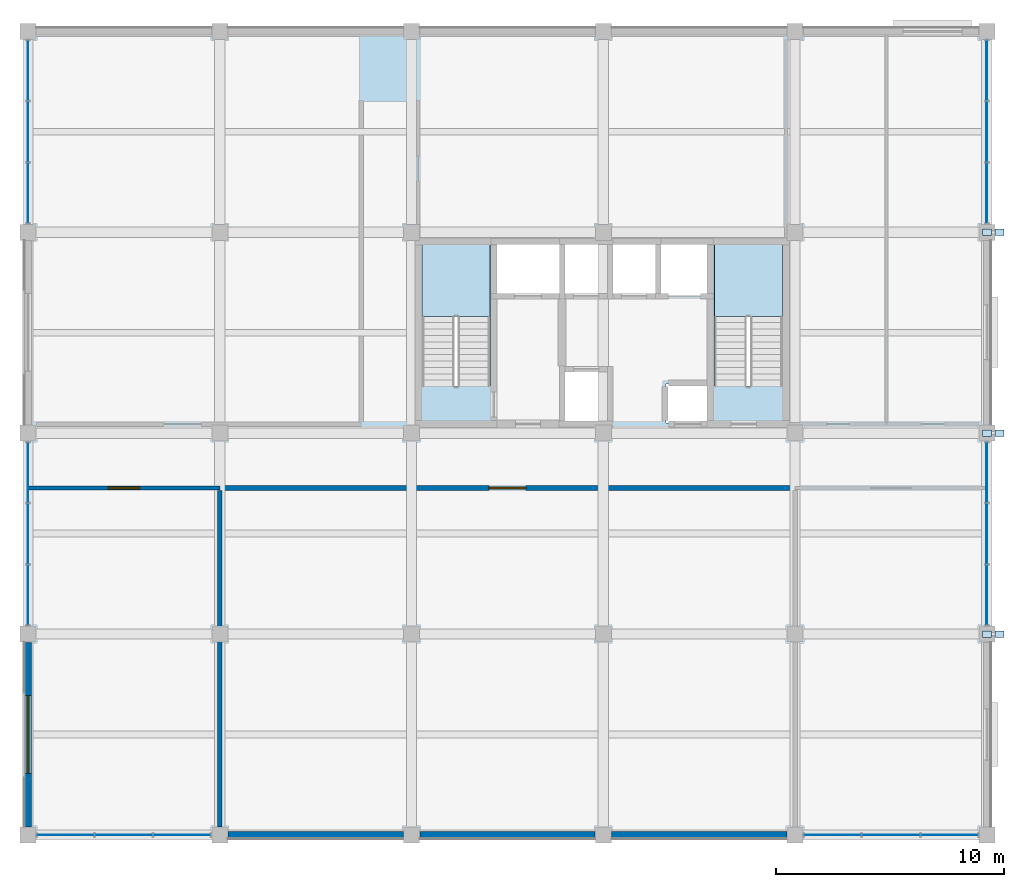
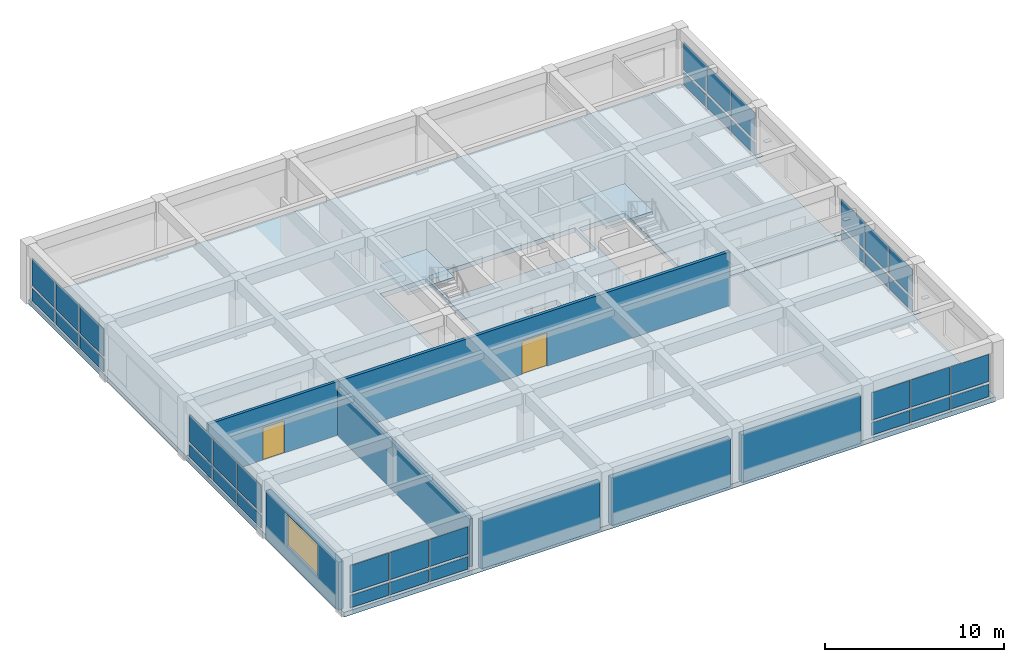
# One storey, part 7 of 14: 42 plates, 7 walls, 4 slabs, 2 doors, 1 window, 3 openings, 8 elements without a shape of their own.
"""IFC4 building model written with IfcOpenShell, lengths in metres."""

from ifc_helpers import new_model, si_unit, direction, frame, frame_2d, origin, origin_2d, place, context, subcontext, project, spatial, polyline, rectangle, outline, extrude, material, layer, layer_set, type_object, element, fill, aggregate, save


model = new_model("IFC4")

# Units and contexts
model_context = context("Model", 3, precision=1e-05, world=origin(), true_north=direction((0.0, 1.0)))
body_context = subcontext(model_context, "Body", "Model", "MODEL_VIEW")
ifc_project = project(units=[si_unit("LENGTHUNIT", "METRE"), si_unit("AREAUNIT", "SQUARE_METRE"), si_unit("VOLUMEUNIT", "CUBIC_METRE"), si_unit("PLANEANGLEUNIT", "RADIAN"), si_unit("MASSUNIT", "GRAM", prefix="KILO")], contexts=[model_context])

# Site, building, storey
site_placement = place(None, origin())
site = spatial("IfcSite", under=ifc_project, at=site_placement, CompositionType="ELEMENT")
building_placement = place(site_placement, origin())
building = spatial("IfcBuilding", under=site, at=building_placement, Name="Kemercrest Conservatory and Botanical Centre", CompositionType="ELEMENT")
storey_placement = place(building_placement, frame((0.0, 0.0, 32.800048828125)))
storey = spatial("IfcBuildingStorey", under=building, at=storey_placement, Name="L08", CompositionType="ELEMENT", Elevation=32.800048828125)

# Curtain wall, plates
ifc_material_1 = material(Name="Thermally broken aluminium and triple low-e glazing", Category="aluminium")
curtain_wall_type_1 = type_object("IfcCurtainWallType", Name="CW-05", PredefinedType="USERDEFINED", material=ifc_material_1)
curtain_wall_1_placement = place(storey_placement, origin())
curtain_wall_1 = element("IfcCurtainWall", 1, at=curtain_wall_1_placement, inside=storey, type_object=curtain_wall_type_1, Name="Unitised curtain wall CW-05 (CW:L08:V4-094)", ObjectType="UNITISED CURTAIN WALL", PredefinedType="USERDEFINED")
ifc_material_2 = material(Name="Triple low-e argon insulated glazing unit", Category="glass")
ifc_layer_1 = layer(ifc_material_2, 0.035888671875)
ifc_layer_set_1 = layer_set([ifc_layer_1], Name="Triple low-e argon insulated glazing unit")
plate_type_1 = type_object("IfcPlateType", Name="CW-PNL036", PredefinedType="CURTAIN_PANEL", material=ifc_layer_set_1)
plate_1_placement = place(storey_placement, frame((135.646240234375, 87.199951171875, 0.179931640625), z_axis=(0.0, 0.0, 1.0), x_axis=(1.0, 0.0, 0.0)))
plate_1 = element("IfcPlate", 2, at=plate_1_placement, type_object=plate_type_1, Name="CW-05 panel 1.1", PredefinedType="CURTAIN_PANEL", context=body_context, shape_type="SweptSolid", body=[
    extrude(rectangle(XDim=2.472412109375, YDim=0.035888671875, at=origin_2d()), origin(), (0.0, 0.0, 1.0), 0.85009765625),
])
plate_2_placement = place(storey_placement, frame((135.646240234375, 87.199951171875, 1.2099609375), z_axis=(0.0, 0.0, 1.0), x_axis=(1.0, 0.0, 0.0)))
plate_2 = element("IfcPlate", 3, at=plate_2_placement, type_object=plate_type_1, Name="CW-05 panel 1.2", PredefinedType="CURTAIN_PANEL", context=body_context, shape_type="SweptSolid", body=[
    extrude(rectangle(XDim=2.472412109375, YDim=0.035888671875, at=origin_2d()), origin(), (0.0, 0.0, 1.0), 1.864990234375),
])
plate_3_placement = place(storey_placement, frame((138.199951171875, 87.199951171875, 0.179931640625), z_axis=(0.0, 0.0, 1.0), x_axis=(1.0, 0.0, 0.0)))
plate_3 = element("IfcPlate", 4, at=plate_3_placement, type_object=plate_type_1, Name="CW-05 panel 2.1", PredefinedType="CURTAIN_PANEL", context=body_context, shape_type="SweptSolid", body=[
    extrude(rectangle(XDim=2.5048828125, YDim=0.035888671875, at=origin_2d()), origin(), (0.0, 0.0, 1.0), 0.85009765625),
])
plate_4_placement = place(storey_placement, frame((138.199951171875, 87.199951171875, 1.2099609375), z_axis=(0.0, 0.0, 1.0), x_axis=(1.0, 0.0, 0.0)))
plate_4 = element("IfcPlate", 5, at=plate_4_placement, type_object=plate_type_1, Name="CW-05 panel 2.2", PredefinedType="CURTAIN_PANEL", context=body_context, shape_type="SweptSolid", body=[
    extrude(rectangle(XDim=2.5048828125, YDim=0.035888671875, at=origin_2d()), origin(), (0.0, 0.0, 1.0), 1.864990234375),
])
plate_5_placement = place(storey_placement, frame((140.753662109375, 87.199951171875, 0.179931640625), z_axis=(0.0, 0.0, 1.0), x_axis=(1.0, 0.0, 0.0)))
plate_5 = element("IfcPlate", 6, at=plate_5_placement, type_object=plate_type_1, Name="CW-05 panel 3.1", PredefinedType="CURTAIN_PANEL", context=body_context, shape_type="SweptSolid", body=[
    extrude(rectangle(XDim=2.472412109375, YDim=0.035888671875, at=origin_2d()), origin(), (0.0, 0.0, 1.0), 0.85009765625),
])
plate_6_placement = place(storey_placement, frame((140.753662109375, 87.199951171875, 1.2099609375), z_axis=(0.0, 0.0, 1.0), x_axis=(1.0, 0.0, 0.0)))
plate_6 = element("IfcPlate", 7, at=plate_6_placement, type_object=plate_type_1, Name="CW-05 panel 3.2", PredefinedType="CURTAIN_PANEL", context=body_context, shape_type="SweptSolid", body=[
    extrude(rectangle(XDim=2.472412109375, YDim=0.035888671875, at=origin_2d()), origin(), (0.0, 0.0, 1.0), 1.864990234375),
])
aggregate(curtain_wall_1, [plate_1, plate_2, plate_3, plate_4, plate_5, plate_6])

curtain_wall_type_2 = type_object("IfcCurtainWallType", Name="CW-06", PredefinedType="USERDEFINED", material=ifc_material_1)
curtain_wall_2_placement = place(storey_placement, origin())
curtain_wall_2 = element("IfcCurtainWall", 8, at=curtain_wall_2_placement, inside=storey, type_object=curtain_wall_type_2, Name="Unitised curtain wall CW-06 (CW:L08:V4-095)", ObjectType="UNITISED CURTAIN WALL", PredefinedType="USERDEFINED")
plate_7_placement = place(storey_placement, frame((169.246337890625, 87.199951171875, 0.179931640625), z_axis=(0.0, 0.0, 1.0), x_axis=(1.0, 0.0, 0.0)))
plate_7 = element("IfcPlate", 9, at=plate_7_placement, type_object=plate_type_1, Name="CW-06 panel 1.1", PredefinedType="CURTAIN_PANEL", context=body_context, shape_type="SweptSolid", body=[
    extrude(rectangle(XDim=2.472412109375, YDim=0.035888671875, at=origin_2d()), origin(), (0.0, 0.0, 1.0), 0.85009765625),
])
plate_8_placement = place(storey_placement, frame((169.246337890625, 87.199951171875, 1.2099609375), z_axis=(0.0, 0.0, 1.0), x_axis=(1.0, 0.0, 0.0)))
plate_8 = element("IfcPlate", 10, at=plate_8_placement, type_object=plate_type_1, Name="CW-06 panel 1.2", PredefinedType="CURTAIN_PANEL", context=body_context, shape_type="SweptSolid", body=[
    extrude(rectangle(XDim=2.472412109375, YDim=0.035888671875, at=origin_2d()), origin(), (0.0, 0.0, 1.0), 1.864990234375),
])
plate_9_placement = place(storey_placement, frame((171.800048828125, 87.199951171875, 0.179931640625), z_axis=(0.0, 0.0, 1.0), x_axis=(1.0, 0.0, 0.0)))
plate_9 = element("IfcPlate", 11, at=plate_9_placement, type_object=plate_type_1, Name="CW-06 panel 2.1", PredefinedType="CURTAIN_PANEL", context=body_context, shape_type="SweptSolid", body=[
    extrude(rectangle(XDim=2.5048828125, YDim=0.035888671875, at=origin_2d()), origin(), (0.0, 0.0, 1.0), 0.85009765625),
])
plate_10_placement = place(storey_placement, frame((171.800048828125, 87.199951171875, 1.2099609375), z_axis=(0.0, 0.0, 1.0), x_axis=(1.0, 0.0, 0.0)))
plate_10 = element("IfcPlate", 12, at=plate_10_placement, type_object=plate_type_1, Name="CW-06 panel 2.2", PredefinedType="CURTAIN_PANEL", context=body_context, shape_type="SweptSolid", body=[
    extrude(rectangle(XDim=2.5048828125, YDim=0.035888671875, at=origin_2d()), origin(), (0.0, 0.0, 1.0), 1.864990234375),
])
plate_11_placement = place(storey_placement, frame((174.353759765625, 87.199951171875, 0.179931640625), z_axis=(0.0, 0.0, 1.0), x_axis=(1.0, 0.0, 0.0)))
plate_11 = element("IfcPlate", 13, at=plate_11_placement, type_object=plate_type_1, Name="CW-06 panel 3.1", PredefinedType="CURTAIN_PANEL", context=body_context, shape_type="SweptSolid", body=[
    extrude(rectangle(XDim=2.472412109375, YDim=0.035888671875, at=origin_2d()), origin(), (0.0, 0.0, 1.0), 0.85009765625),
])
plate_12_placement = place(storey_placement, frame((174.353759765625, 87.199951171875, 1.2099609375), z_axis=(0.0, 0.0, 1.0), x_axis=(1.0, 0.0, 0.0)))
plate_12 = element("IfcPlate", 14, at=plate_12_placement, type_object=plate_type_1, Name="CW-06 panel 3.2", PredefinedType="CURTAIN_PANEL", context=body_context, shape_type="SweptSolid", body=[
    extrude(rectangle(XDim=2.472412109375, YDim=0.035888671875, at=origin_2d()), origin(), (0.0, 0.0, 1.0), 1.864990234375),
])
aggregate(curtain_wall_2, [plate_7, plate_8, plate_9, plate_10, plate_11, plate_12])

curtain_wall_type_3 = type_object("IfcCurtainWallType", Name="CW-07", PredefinedType="USERDEFINED", material=ifc_material_1)
curtain_wall_3_placement = place(storey_placement, origin())
curtain_wall_3 = element("IfcCurtainWall", 15, at=curtain_wall_3_placement, inside=storey, type_object=curtain_wall_type_3, Name="Unitised curtain wall CW-07 (CW:L08:V4-096)", ObjectType="UNITISED CURTAIN WALL", PredefinedType="USERDEFINED")
plate_13_placement = place(storey_placement, frame((176.0, 97.712890625, 0.179931640625), z_axis=(0.0, 0.0, 1.0), x_axis=(0.0, 1.0, 0.0)))
plate_13 = element("IfcPlate", 16, at=plate_13_placement, type_object=plate_type_1, Name="CW-07 panel 1.1", PredefinedType="CURTAIN_PANEL", context=body_context, shape_type="SweptSolid", body=[
    extrude(rectangle(XDim=2.605712890625, YDim=0.035888671875, at=origin_2d()), origin(), (0.0, 0.0, 1.0), 0.85009765625),
])
plate_14_placement = place(storey_placement, frame((176.0, 97.712890625, 1.2099609375), z_axis=(0.0, 0.0, 1.0), x_axis=(0.0, 1.0, 0.0)))
plate_14 = element("IfcPlate", 17, at=plate_14_placement, type_object=plate_type_1, Name="CW-07 panel 1.2", PredefinedType="CURTAIN_PANEL", context=body_context, shape_type="SweptSolid", body=[
    extrude(rectangle(XDim=2.605712890625, YDim=0.035888671875, at=origin_2d()), origin(), (0.0, 0.0, 1.0), 1.864990234375),
])
plate_15_placement = place(storey_placement, frame((176.0, 100.39990234375, 0.179931640625), z_axis=(0.0, 0.0, 1.0), x_axis=(0.0, 1.0, 0.0)))
plate_15 = element("IfcPlate", 18, at=plate_15_placement, type_object=plate_type_1, Name="CW-07 panel 2.1", PredefinedType="CURTAIN_PANEL", context=body_context, shape_type="SweptSolid", body=[
    extrude(rectangle(XDim=2.638427734375, YDim=0.035888671875, at=origin_2d()), origin(), (0.0, 0.0, 1.0), 0.85009765625),
])
plate_16_placement = place(storey_placement, frame((176.0, 100.39990234375, 1.2099609375), z_axis=(0.0, 0.0, 1.0), x_axis=(0.0, 1.0, 0.0)))
plate_16 = element("IfcPlate", 19, at=plate_16_placement, type_object=plate_type_1, Name="CW-07 panel 2.2", PredefinedType="CURTAIN_PANEL", context=body_context, shape_type="SweptSolid", body=[
    extrude(rectangle(XDim=2.638427734375, YDim=0.035888671875, at=origin_2d()), origin(), (0.0, 0.0, 1.0), 1.864990234375),
])
plate_17_placement = place(storey_placement, frame((176.0, 103.087158203125, 0.179931640625), z_axis=(0.0, 0.0, 1.0), x_axis=(0.0, 1.0, 0.0)))
plate_17 = element("IfcPlate", 20, at=plate_17_placement, type_object=plate_type_1, Name="CW-07 panel 3.1", PredefinedType="CURTAIN_PANEL", context=body_context, shape_type="SweptSolid", body=[
    extrude(rectangle(XDim=2.605712890625, YDim=0.035888671875, at=origin_2d()), origin(), (0.0, 0.0, 1.0), 0.85009765625),
])
plate_18_placement = place(storey_placement, frame((176.0, 103.087158203125, 1.2099609375), z_axis=(0.0, 0.0, 1.0), x_axis=(0.0, 1.0, 0.0)))
plate_18 = element("IfcPlate", 21, at=plate_18_placement, type_object=plate_type_1, Name="CW-07 panel 3.2", PredefinedType="CURTAIN_PANEL", context=body_context, shape_type="SweptSolid", body=[
    extrude(rectangle(XDim=2.605712890625, YDim=0.035888671875, at=origin_2d()), origin(), (0.0, 0.0, 1.0), 1.864990234375),
])
aggregate(curtain_wall_3, [plate_13, plate_14, plate_15, plate_16, plate_17, plate_18])

curtain_wall_type_4 = type_object("IfcCurtainWallType", Name="CW-08", PredefinedType="USERDEFINED", material=ifc_material_1)
curtain_wall_4_placement = place(storey_placement, origin())
curtain_wall_4 = element("IfcCurtainWall", 22, at=curtain_wall_4_placement, inside=storey, type_object=curtain_wall_type_4, Name="Unitised curtain wall CW-08 (CW:L08:V4-097)", ObjectType="UNITISED CURTAIN WALL", PredefinedType="USERDEFINED")
plate_19_placement = place(storey_placement, frame((176.0, 115.31298828125, 0.179931640625), z_axis=(0.0, 0.0, 1.0), x_axis=(0.0, 1.0, 0.0)))
plate_19 = element("IfcPlate", 23, at=plate_19_placement, type_object=plate_type_1, Name="CW-08 panel 1.1", PredefinedType="CURTAIN_PANEL", context=body_context, shape_type="SweptSolid", body=[
    extrude(rectangle(XDim=2.605712890625, YDim=0.035888671875, at=origin_2d()), origin(), (0.0, 0.0, 1.0), 0.85009765625),
])
plate_20_placement = place(storey_placement, frame((176.0, 115.31298828125, 1.2099609375), z_axis=(0.0, 0.0, 1.0), x_axis=(0.0, 1.0, 0.0)))
plate_20 = element("IfcPlate", 24, at=plate_20_placement, type_object=plate_type_1, Name="CW-08 panel 1.2", PredefinedType="CURTAIN_PANEL", context=body_context, shape_type="SweptSolid", body=[
    extrude(rectangle(XDim=2.605712890625, YDim=0.035888671875, at=origin_2d()), origin(), (0.0, 0.0, 1.0), 1.864990234375),
])
plate_21_placement = place(storey_placement, frame((176.0, 118.0, 0.179931640625), z_axis=(0.0, 0.0, 1.0), x_axis=(0.0, 1.0, 0.0)))
plate_21 = element("IfcPlate", 25, at=plate_21_placement, type_object=plate_type_1, Name="CW-08 panel 2.1", PredefinedType="CURTAIN_PANEL", context=body_context, shape_type="SweptSolid", body=[
    extrude(rectangle(XDim=2.638427734375, YDim=0.035888671875, at=origin_2d()), origin(), (0.0, 0.0, 1.0), 0.85009765625),
])
plate_22_placement = place(storey_placement, frame((176.0, 118.0, 1.2099609375), z_axis=(0.0, 0.0, 1.0), x_axis=(0.0, 1.0, 0.0)))
plate_22 = element("IfcPlate", 26, at=plate_22_placement, type_object=plate_type_1, Name="CW-08 panel 2.2", PredefinedType="CURTAIN_PANEL", context=body_context, shape_type="SweptSolid", body=[
    extrude(rectangle(XDim=2.638427734375, YDim=0.035888671875, at=origin_2d()), origin(), (0.0, 0.0, 1.0), 1.864990234375),
])
plate_23_placement = place(storey_placement, frame((176.0, 120.68701171875, 0.179931640625), z_axis=(0.0, 0.0, 1.0), x_axis=(0.0, 1.0, 0.0)))
plate_23 = element("IfcPlate", 27, at=plate_23_placement, type_object=plate_type_1, Name="CW-08 panel 3.1", PredefinedType="CURTAIN_PANEL", context=body_context, shape_type="SweptSolid", body=[
    extrude(rectangle(XDim=2.605712890625, YDim=0.035888671875, at=origin_2d()), origin(), (0.0, 0.0, 1.0), 0.85009765625),
])
plate_24_placement = place(storey_placement, frame((176.0, 120.68701171875, 1.2099609375), z_axis=(0.0, 0.0, 1.0), x_axis=(0.0, 1.0, 0.0)))
plate_24 = element("IfcPlate", 28, at=plate_24_placement, type_object=plate_type_1, Name="CW-08 panel 3.2", PredefinedType="CURTAIN_PANEL", context=body_context, shape_type="SweptSolid", body=[
    extrude(rectangle(XDim=2.605712890625, YDim=0.035888671875, at=origin_2d()), origin(), (0.0, 0.0, 1.0), 1.864990234375),
])
aggregate(curtain_wall_4, [plate_19, plate_20, plate_21, plate_22, plate_23, plate_24])

curtain_wall_type_5 = type_object("IfcCurtainWallType", Name="CW-09", PredefinedType="USERDEFINED", material=ifc_material_1)
curtain_wall_5_placement = place(storey_placement, origin())
curtain_wall_5 = element("IfcCurtainWall", 29, at=curtain_wall_5_placement, inside=storey, type_object=curtain_wall_type_5, Name="Unitised curtain wall CW-09 (CW:L08:V4-098)", ObjectType="UNITISED CURTAIN WALL", PredefinedType="USERDEFINED")
plate_25_placement = place(storey_placement, frame((134.0, 120.68701171875, 0.179931640625), z_axis=(0.0, 0.0, 1.0), x_axis=(0.0, -1.0, 0.0)))
plate_25 = element("IfcPlate", 30, at=plate_25_placement, type_object=plate_type_1, Name="CW-09 panel 1.1", PredefinedType="CURTAIN_PANEL", context=body_context, shape_type="SweptSolid", body=[
    extrude(rectangle(XDim=2.605712890625, YDim=0.035888671875, at=origin_2d()), origin(), (0.0, 0.0, 1.0), 0.85009765625),
])
plate_26_placement = place(storey_placement, frame((134.0, 120.68701171875, 1.2099609375), z_axis=(0.0, 0.0, 1.0), x_axis=(0.0, -1.0, 0.0)))
plate_26 = element("IfcPlate", 31, at=plate_26_placement, type_object=plate_type_1, Name="CW-09 panel 1.2", PredefinedType="CURTAIN_PANEL", context=body_context, shape_type="SweptSolid", body=[
    extrude(rectangle(XDim=2.605712890625, YDim=0.035888671875, at=origin_2d()), origin(), (0.0, 0.0, 1.0), 1.864990234375),
])
plate_27_placement = place(storey_placement, frame((134.0, 118.0, 0.179931640625), z_axis=(0.0, 0.0, 1.0), x_axis=(0.0, -1.0, 0.0)))
plate_27 = element("IfcPlate", 32, at=plate_27_placement, type_object=plate_type_1, Name="CW-09 panel 2.1", PredefinedType="CURTAIN_PANEL", context=body_context, shape_type="SweptSolid", body=[
    extrude(rectangle(XDim=2.638427734375, YDim=0.035888671875, at=origin_2d()), origin(), (0.0, 0.0, 1.0), 0.85009765625),
])
plate_28_placement = place(storey_placement, frame((134.0, 118.0, 1.2099609375), z_axis=(0.0, 0.0, 1.0), x_axis=(0.0, -1.0, 0.0)))
plate_28 = element("IfcPlate", 33, at=plate_28_placement, type_object=plate_type_1, Name="CW-09 panel 2.2", PredefinedType="CURTAIN_PANEL", context=body_context, shape_type="SweptSolid", body=[
    extrude(rectangle(XDim=2.638427734375, YDim=0.035888671875, at=origin_2d()), origin(), (0.0, 0.0, 1.0), 1.864990234375),
])
plate_29_placement = place(storey_placement, frame((134.0, 115.31298828125, 0.179931640625), z_axis=(0.0, 0.0, 1.0), x_axis=(0.0, -1.0, 0.0)))
plate_29 = element("IfcPlate", 34, at=plate_29_placement, type_object=plate_type_1, Name="CW-09 panel 3.1", PredefinedType="CURTAIN_PANEL", context=body_context, shape_type="SweptSolid", body=[
    extrude(rectangle(XDim=2.605712890625, YDim=0.035888671875, at=origin_2d()), origin(), (0.0, 0.0, 1.0), 0.85009765625),
])
plate_30_placement = place(storey_placement, frame((134.0, 115.31298828125, 1.2099609375), z_axis=(0.0, 0.0, 1.0), x_axis=(0.0, -1.0, 0.0)))
plate_30 = element("IfcPlate", 35, at=plate_30_placement, type_object=plate_type_1, Name="CW-09 panel 3.2", PredefinedType="CURTAIN_PANEL", context=body_context, shape_type="SweptSolid", body=[
    extrude(rectangle(XDim=2.605712890625, YDim=0.035888671875, at=origin_2d()), origin(), (0.0, 0.0, 1.0), 1.864990234375),
])
aggregate(curtain_wall_5, [plate_25, plate_26, plate_27, plate_28, plate_29, plate_30])

curtain_wall_type_6 = type_object("IfcCurtainWallType", Name="CW-10", PredefinedType="USERDEFINED", material=ifc_material_1)
curtain_wall_6_placement = place(storey_placement, origin())
curtain_wall_6 = element("IfcCurtainWall", 36, at=curtain_wall_6_placement, inside=storey, type_object=curtain_wall_type_6, Name="Unitised curtain wall CW-10 (CW:L08:V4-099)", ObjectType="UNITISED CURTAIN WALL", PredefinedType="USERDEFINED")
plate_31_placement = place(storey_placement, frame((134.0, 103.087158203125, 0.179931640625), z_axis=(0.0, 0.0, 1.0), x_axis=(0.0, -1.0, 0.0)))
plate_31 = element("IfcPlate", 37, at=plate_31_placement, type_object=plate_type_1, Name="CW-10 panel 1.1", PredefinedType="CURTAIN_PANEL", context=body_context, shape_type="SweptSolid", body=[
    extrude(rectangle(XDim=2.605712890625, YDim=0.035888671875, at=origin_2d()), origin(), (0.0, 0.0, 1.0), 0.85009765625),
])
plate_32_placement = place(storey_placement, frame((134.0, 103.087158203125, 1.2099609375), z_axis=(0.0, 0.0, 1.0), x_axis=(0.0, -1.0, 0.0)))
plate_32 = element("IfcPlate", 38, at=plate_32_placement, type_object=plate_type_1, Name="CW-10 panel 1.2", PredefinedType="CURTAIN_PANEL", context=body_context, shape_type="SweptSolid", body=[
    extrude(rectangle(XDim=2.605712890625, YDim=0.035888671875, at=origin_2d()), origin(), (0.0, 0.0, 1.0), 1.864990234375),
])
plate_33_placement = place(storey_placement, frame((134.0, 100.39990234375, 0.179931640625), z_axis=(0.0, 0.0, 1.0), x_axis=(0.0, -1.0, 0.0)))
plate_33 = element("IfcPlate", 39, at=plate_33_placement, type_object=plate_type_1, Name="CW-10 panel 2.1", PredefinedType="CURTAIN_PANEL", context=body_context, shape_type="SweptSolid", body=[
    extrude(rectangle(XDim=2.638427734375, YDim=0.035888671875, at=origin_2d()), origin(), (0.0, 0.0, 1.0), 0.85009765625),
])
plate_34_placement = place(storey_placement, frame((134.0, 100.39990234375, 1.2099609375), z_axis=(0.0, 0.0, 1.0), x_axis=(0.0, -1.0, 0.0)))
plate_34 = element("IfcPlate", 40, at=plate_34_placement, type_object=plate_type_1, Name="CW-10 panel 2.2", PredefinedType="CURTAIN_PANEL", context=body_context, shape_type="SweptSolid", body=[
    extrude(rectangle(XDim=2.638427734375, YDim=0.035888671875, at=origin_2d()), origin(), (0.0, 0.0, 1.0), 1.864990234375),
])
plate_35_placement = place(storey_placement, frame((134.0, 97.712890625, 0.179931640625), z_axis=(0.0, 0.0, 1.0), x_axis=(0.0, -1.0, 0.0)))
plate_35 = element("IfcPlate", 41, at=plate_35_placement, type_object=plate_type_1, Name="CW-10 panel 3.1", PredefinedType="CURTAIN_PANEL", context=body_context, shape_type="SweptSolid", body=[
    extrude(rectangle(XDim=2.605712890625, YDim=0.035888671875, at=origin_2d()), origin(), (0.0, 0.0, 1.0), 0.85009765625),
])
plate_36_placement = place(storey_placement, frame((134.0, 97.712890625, 1.2099609375), z_axis=(0.0, 0.0, 1.0), x_axis=(0.0, -1.0, 0.0)))
plate_36 = element("IfcPlate", 42, at=plate_36_placement, type_object=plate_type_1, Name="CW-10 panel 3.2", PredefinedType="CURTAIN_PANEL", context=body_context, shape_type="SweptSolid", body=[
    extrude(rectangle(XDim=2.605712890625, YDim=0.035888671875, at=origin_2d()), origin(), (0.0, 0.0, 1.0), 1.864990234375),
])
aggregate(curtain_wall_6, [plate_31, plate_32, plate_33, plate_34, plate_35, plate_36])

# Plates
ifc_material_3 = material(Name="Steel CSA G40.21 350W", Category="steel")
ifc_layer_2 = layer(ifc_material_3, 0.030029296875)
ifc_layer_set_2 = layer_set([ifc_layer_2], Name="Steel CSA G40.21 350W")
plate_type_2 = type_object("IfcPlateType", Name="GN-05", PredefinedType="USERDEFINED", material=ifc_layer_set_2)
for number, where, z_axis, x_axis, name in (
    (43, (176.550048828125, 96.0, 1.23486328125), (0.0, 0.0, 1.0), (1.0, 0.0, 0.0), "Cumba knee bracket end cap plate GN-05 L08-1"),
    (44, (176.0, 96.0, 0.384765625), (0.0, 0.0, 1.0), (1.0, 0.0, 0.0), "Cumba knee bracket wall gusset plate GN-05 L08-1"),
    (45, (176.550048828125, 104.800048828125, 1.23486328125), (0.0, 0.0, 1.0), (1.0, 0.0, 0.0), "Cumba knee bracket end cap plate GN-05 L08-2"),
    (46, (176.0, 104.800048828125, 0.384765625), (0.0, 0.0, 1.0), (1.0, 0.0, 0.0), "Cumba knee bracket wall gusset plate GN-05 L08-2"),
    (47, (176.550048828125, 113.60009765625, 1.23486328125), (0.0, 0.0, 1.0), (1.0, 0.0, 0.0), "Cumba knee bracket end cap plate GN-05 L08-3"),
    (48, (176.0, 113.60009765625, 0.384765625), (0.0, 0.0, 1.0), (1.0, 0.0, 0.0), "Cumba knee bracket wall gusset plate GN-05 L08-3"),
):
    element("IfcPlate", number, at=place(storey_placement, frame(where, z_axis=z_axis, x_axis=x_axis)), inside=storey, type_object=plate_type_2, Name=name, ObjectType="GUSSET PLATE", PredefinedType="USERDEFINED", context=body_context, shape_type="SweptSolid", body=[
        extrude(rectangle(XDim=0.39990234375, YDim=0.280029296875, at=origin_2d()), origin(), (0.0, 0.0, 1.0), 0.030029296875),
    ])

# Slabs
ifc_material_4 = material(Name="Concrete C40/50", Category="concrete")
ifc_layer_3 = layer(ifc_material_4, 0.320068359375)
ifc_layer_set_3 = layer_set([ifc_layer_3], Name="Concrete C40/50")
slab_type_1 = type_object("IfcSlabType", Name="SL-FL320", PredefinedType="FLOOR", material=ifc_layer_set_3)
slab_1_placement = place(storey_placement, frame((0.0, 0.0, -0.320068359375)))
element("IfcSlab", 49, at=slab_1_placement, inside=storey, type_object=slab_type_1, Name="V4 Tower L08 North Core and Studio Slab", PredefinedType="FLOOR", context=body_context, shape_type="SweptSolid", body=[
    extrude(outline(polyline([(134.0, 122.39990234375), (134.0, 104.800048828125), (176.0, 104.800048828125), (176.0, 122.39990234375), (134.0, 122.39990234375)]), holes=[polyline([(164.06005859375, 106.864990234375), (164.06005859375, 113.06005859375), (167.0400390625, 113.06005859375), (167.0400390625, 106.864990234375), (164.06005859375, 106.864990234375)]), polyline([(154.39990234375, 110.800048828125), (154.39990234375, 113.199951171875), (163.89990234375, 113.199951171875), (163.89990234375, 110.800048828125), (154.39990234375, 110.800048828125)]), polyline([(161.949951171875, 105.25), (161.949951171875, 106.949951171875), (163.85009765625, 106.949951171875), (163.85009765625, 105.25), (161.949951171875, 105.25)]), polyline([(157.39990234375, 105.199951171875), (157.39990234375, 107.60009765625), (159.5, 107.60009765625), (159.5, 105.199951171875), (157.39990234375, 105.199951171875)]), polyline([(154.239990234375, 106.864990234375), (151.260009765625, 106.864990234375), (151.260009765625, 113.06005859375), (154.239990234375, 113.06005859375), (154.239990234375, 106.864990234375)])]), origin(), (0.0, 0.0, 1.0), 0.320068359375),
])
slab_2_placement = place(storey_placement, frame((0.0, 0.0, -0.320068359375)))
element("IfcSlab", 50, at=slab_2_placement, inside=storey, type_object=slab_type_1, Name="V4 Tower L08 South Laboratory Slab", PredefinedType="FLOOR", context=body_context, shape_type="SweptSolid", body=[
    extrude(outline(polyline([(134.0, 104.800048828125), (134.0, 87.199951171875), (176.0, 87.199951171875), (176.0, 104.800048828125), (134.0, 104.800048828125)]), holes=[polyline([(175.39990234375, 94.800048828125), (174.199951171875, 94.800048828125), (174.199951171875, 95.800048828125), (175.39990234375, 95.800048828125), (175.39990234375, 94.800048828125)])]), origin(), (0.0, 0.0, 1.0), 0.320068359375),
])

# Stair, slab
stair_type = type_object("IfcStairType", Name="ST-142-40", PredefinedType="HALF_TURN_STAIR", material=ifc_material_4)
stair_1_placement = place(storey_placement, origin())
stair_1 = element("IfcStair", 51, at=stair_1_placement, inside=storey, type_object=stair_type, Name="L08 Exit stair ST-V4A", PredefinedType="HALF_TURN_STAIR")
ifc_layer_4 = layer(ifc_material_4, 0.199951171875)
ifc_layer_set_4 = layer_set([ifc_layer_4], Name="Concrete C40/50")
slab_type_2 = type_object("IfcSlabType", Name="SL-LND200", PredefinedType="LANDING", material=ifc_layer_set_4)
slab_3_placement = place(storey_placement, frame((0.0, 0.0, 1.800048828125)))
slab_3 = element("IfcSlab", 52, at=slab_3_placement, type_object=slab_type_2, Name="ST-V4A landing 1", PredefinedType="LANDING", context=body_context, shape_type="SweptSolid", body=[
    extrude(outline(polyline([(154.239990234375, 109.919921875), (154.239990234375, 113.06005859375), (151.260009765625, 113.06005859375), (151.260009765625, 109.919921875), (154.239990234375, 109.919921875)])), origin(), (0.0, 0.0, 1.0), 0.199951171875),
])
aggregate(stair_1, [slab_3])

stair_2_placement = place(storey_placement, origin())
stair_2 = element("IfcStair", 53, at=stair_2_placement, inside=storey, type_object=stair_type, Name="L08 Exit stair ST-V4B", PredefinedType="HALF_TURN_STAIR")
slab_4_placement = place(storey_placement, frame((0.0, 0.0, 1.800048828125)))
slab_4 = element("IfcSlab", 54, at=slab_4_placement, type_object=slab_type_2, Name="ST-V4B landing 1", PredefinedType="LANDING", context=body_context, shape_type="SweptSolid", body=[
    extrude(outline(polyline([(167.0400390625, 109.919921875), (167.0400390625, 113.06005859375), (164.06005859375, 113.06005859375), (164.06005859375, 109.919921875), (167.0400390625, 109.919921875)])), origin(), (0.0, 0.0, 1.0), 0.199951171875),
])
aggregate(stair_2, [slab_4])

# Walls
ifc_material_5 = material(Name="Precast concrete C40/50", Category="concrete")
ifc_layer_5 = layer(ifc_material_5, 0.300048828125)
ifc_layer_set_5 = layer_set([ifc_layer_5], Name="Precast concrete C40/50")
wall_type_1 = type_object("IfcWallType", Name="W-EXT300", PredefinedType="SOLIDWALL", material=ifc_layer_set_5)
wall_1_placement = place(storey_placement, frame((142.760009765625, 87.199951171875, 0.0), z_axis=(0.0, 0.0, 1.0), x_axis=(1.0, 0.0, 0.0)))
element("IfcWall", 55, at=wall_1_placement, inside=storey, type_object=wall_type_1, Name="Exterior almasik wall W-EXT300 (WAL:L08:EXT-274)", PredefinedType="SOLIDWALL", context=body_context, shape_type="SweptSolid", body=[
    extrude(rectangle(XDim=7.679931640625, YDim=0.300048828125, at=frame_2d((3.83984375, 0.0))), origin(), (0.0, 0.0, 1.0), 3.25),
])
wall_2_placement = place(storey_placement, frame((151.159912109375, 87.199951171875, 0.0), z_axis=(0.0, 0.0, 1.0), x_axis=(1.0, 0.0, 0.0)))
element("IfcWall", 56, at=wall_2_placement, inside=storey, type_object=wall_type_1, Name="Exterior almasik wall W-EXT300 (WAL:L08:EXT-275)", PredefinedType="SOLIDWALL", context=body_context, shape_type="SweptSolid", body=[
    extrude(rectangle(XDim=7.68017578125, YDim=0.300048828125, at=frame_2d((3.840087890625, 0.0))), origin(), (0.0, 0.0, 1.0), 3.25),
])
wall_3_placement = place(storey_placement, frame((159.56005859375, 87.199951171875, 0.0), z_axis=(0.0, 0.0, 1.0), x_axis=(1.0, 0.0, 0.0)))
element("IfcWall", 57, at=wall_3_placement, inside=storey, type_object=wall_type_1, Name="Exterior almasik wall W-EXT300 (WAL:L08:EXT-276)", PredefinedType="SOLIDWALL", context=body_context, shape_type="SweptSolid", body=[
    extrude(rectangle(XDim=7.679931640625, YDim=0.300048828125, at=frame_2d((3.83984375, 0.0))), origin(), (0.0, 0.0, 1.0), 3.25),
])

# Wall, opening, window
wall_4_placement = place(storey_placement, frame((134.0, 95.639892578125, 0.0), z_axis=(0.0, 0.0, 1.0), x_axis=(0.0, -1.0, 0.0)))
wall_4 = element("IfcWall", 58, at=wall_4_placement, inside=storey, type_object=wall_type_1, Name="Exterior almasik wall W-EXT300 (WAL:L08:EXT-285)", PredefinedType="SOLIDWALL", context=body_context, shape_type="SweptSolid", body=[
    extrude(rectangle(XDim=8.079833984375, YDim=0.300048828125, at=frame_2d((4.0400390625, 0.0))), origin(), (0.0, 0.0, 1.0), 3.25),
])
opening_1_placement = place(wall_4_placement, frame((2.340087890625, 0.0, 0.89990234375)))
opening_1 = element("IfcOpeningElement", 59, at=opening_1_placement, cuts=wall_4, Name="Opening WT-20", PredefinedType="OPENING", context=body_context, shape_type="SweptSolid", body=[
    extrude(rectangle(XDim=3.39990234375, YDim=2.14990234375, at=frame_2d((1.699951171875, 1.074951171875))), frame((0.0, 0.16015625, 0.0), z_axis=(0.0, -1.0, 0.0), x_axis=(1.0, 0.0, 0.0)), (0.0, 0.0, 1.0), 0.320068359375),
])
ifc_material_6 = material(Name="Thermally broken bronze-anodized aluminium and triple glazing", Category="aluminium")
window_type = type_object("IfcWindowType", Name="WT-20", PartitioningType="SINGLE_PANEL", PredefinedType="WINDOW", material=ifc_material_6)
window_placement = place(opening_1_placement, origin())
window = element("IfcWindow", 60, at=window_placement, inside=storey, type_object=window_type, Name="Exterior window WT-20 (WIN:L08:EXT-285)", OverallHeight=2.14990234375, OverallWidth=3.39990234375, PartitioningType="SINGLE_PANEL", PredefinedType="WINDOW", context=body_context, shape_type="SweptSolid", body=[
    extrude(rectangle(XDim=3.39990234375, YDim=2.14990234375, at=frame_2d((1.699951171875, 1.074951171875))), frame((0.0, 0.030029296875, 0.0), z_axis=(0.0, -1.0, 0.0), x_axis=(1.0, 0.0, 0.0)), (0.0, 0.0, 1.0), 0.06005859375),
])
fill(opening_1, window)

# Wall, opening, door
ifc_layer_6 = layer(ifc_material_4, 0.199951171875)
ifc_layer_set_6 = layer_set([ifc_layer_6], Name="Concrete C40/50")
wall_type_2 = type_object("IfcWallType", Name="W-FIRE", PredefinedType="PARTITIONING", material=ifc_layer_set_6)
wall_5_placement = place(storey_placement, frame((142.39990234375, 102.39990234375, 0.0), z_axis=(0.0, 0.0, 1.0), x_axis=(1.0, 0.0, 0.0)))
wall_5 = element("IfcWall", 61, at=wall_5_placement, inside=storey, type_object=wall_type_2, Name="Interior partition W-FIRE #214", PredefinedType="PARTITIONING", context=body_context, shape_type="SweptSolid", body=[
    extrude(rectangle(XDim=25.2001953125, YDim=0.199951171875, at=frame_2d((12.60009765625, 0.0))), origin(), (0.0, 0.0, 1.0), 3.6650390625),
])
opening_2_placement = place(wall_5_placement, frame((11.7900390625, 0.0, 0.0)))
opening_2 = element("IfcOpeningElement", 62, at=opening_2_placement, cuts=wall_5, Name="Opening D227", PredefinedType="OPENING", context=body_context, shape_type="SweptSolid", body=[
    extrude(rectangle(XDim=1.6201171875, YDim=2.25, at=frame_2d((0.81005859375, 1.125))), frame((0.0, 0.10986328125, 0.0), z_axis=(0.0, -1.0, 0.0), x_axis=(1.0, 0.0, 0.0)), (0.0, 0.0, 1.0), 0.219970703125),
])
ifc_material_7 = material(Name="Powder-coated galvanized steel and fire-rated vision glass", Category="steel")
door_type_1 = type_object("IfcDoorType", Name="DT-FD60D", OperationType="DOUBLE_DOOR_SINGLE_SWING", PredefinedType="DOOR", material=ifc_material_7)
door_1_placement = place(opening_2_placement, origin())
door_1 = element("IfcDoor", 63, at=door_1_placement, inside=storey, type_object=door_type_1, Name="Herbarium Compact Shelving Vault door D227", OperationType="DOUBLE_DOOR_SINGLE_SWING", OverallHeight=2.25, OverallWidth=1.6201171875, PredefinedType="DOOR", context=body_context, shape_type="SweptSolid", body=[
    extrude(rectangle(XDim=1.6201171875, YDim=2.25, at=frame_2d((0.81005859375, 1.125))), frame((0.0, 0.02490234375, 0.0), z_axis=(0.0, -1.0, 0.0), x_axis=(1.0, 0.0, 0.0)), (0.0, 0.0, 1.0), 0.050048828125),
])
fill(opening_2, door_1)

# Wall
wall_6_placement = place(storey_placement, frame((142.39990234375, 87.550048828125, 0.0), z_axis=(0.0, 0.0, 1.0), x_axis=(0.0, 1.0, 0.0)))
element("IfcWall", 64, at=wall_6_placement, inside=storey, type_object=wall_type_2, Name="Interior partition W-FIRE #222", PredefinedType="PARTITIONING", context=body_context, shape_type="SweptSolid", body=[
    extrude(rectangle(XDim=14.744873046875, YDim=0.199951171875, at=frame_2d((7.37255859375, 0.0))), origin(), (0.0, 0.0, 1.0), 3.244873046875),
])

# Wall, opening, door
ifc_material_8 = material(Name="Acoustic steel-stud gypsum board assembly", Category="steel")
ifc_layer_7 = layer(ifc_material_8, 0.179931640625)
ifc_layer_set_7 = layer_set([ifc_layer_7], Name="Acoustic steel-stud gypsum board assembly")
wall_type_3 = type_object("IfcWallType", Name="W-PART180", PredefinedType="PARTITIONING", material=ifc_layer_set_7)
wall_7_placement = place(storey_placement, frame((134.0, 102.39990234375, 0.0), z_axis=(0.0, 0.0, 1.0), x_axis=(1.0, 0.0, 0.0)))
wall_7 = element("IfcWall", 65, at=wall_7_placement, inside=storey, type_object=wall_type_3, Name="Interior partition W-PART180 #215", PredefinedType="PARTITIONING", context=body_context, shape_type="SweptSolid", body=[
    extrude(rectangle(XDim=8.39990234375, YDim=0.179931640625, at=frame_2d((4.199951171875, 0.0))), origin(), (0.0, 0.0, 1.0), 3.6650390625),
])
opening_3_placement = place(wall_7_placement, frame((3.510009765625, 0.0, 0.0)))
opening_3 = element("IfcOpeningElement", 66, at=opening_3_placement, cuts=wall_7, Name="Opening D228", PredefinedType="OPENING", context=body_context, shape_type="SweptSolid", body=[
    extrude(rectangle(XDim=1.3798828125, YDim=2.199951171875, at=frame_2d((0.68994140625, 1.10009765625))), frame((0.0, 0.10009765625, 0.0), z_axis=(0.0, -1.0, 0.0), x_axis=(1.0, 0.0, 0.0)), (0.0, 0.0, 1.0), 0.199951171875),
])
ifc_material_9 = material(Name="FSC solid-core white oak veneer and anodized aluminium frame", Category="aluminium")
door_type_2 = type_object("IfcDoorType", Name="DT-08", OperationType="DOUBLE_DOOR_SINGLE_SWING", PredefinedType="DOOR", material=ifc_material_9)
door_2_placement = place(opening_3_placement, origin())
door_2 = element("IfcDoor", 67, at=door_2_placement, inside=storey, type_object=door_type_2, Name="Herbarium Digitization Laboratory door D228", OperationType="DOUBLE_DOOR_SINGLE_SWING", OverallHeight=2.199951171875, OverallWidth=1.3798828125, PredefinedType="DOOR", context=body_context, shape_type="SweptSolid", body=[
    extrude(rectangle(XDim=1.3798828125, YDim=2.199951171875, at=frame_2d((0.68994140625, 1.10009765625))), frame((0.0, 0.02490234375, 0.0), z_axis=(0.0, -1.0, 0.0), x_axis=(1.0, 0.0, 0.0)), (0.0, 0.0, 1.0), 0.050048828125),
])
fill(opening_3, door_2)

save(model, "model.ifc")
